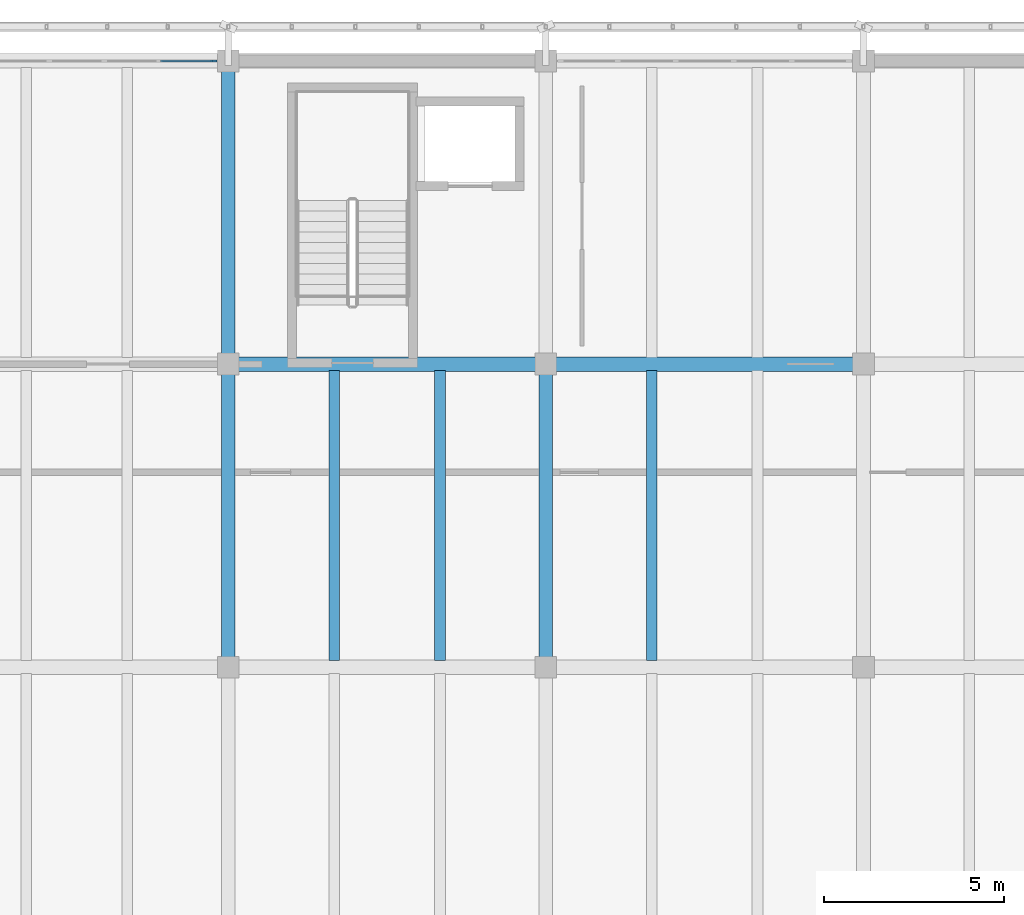
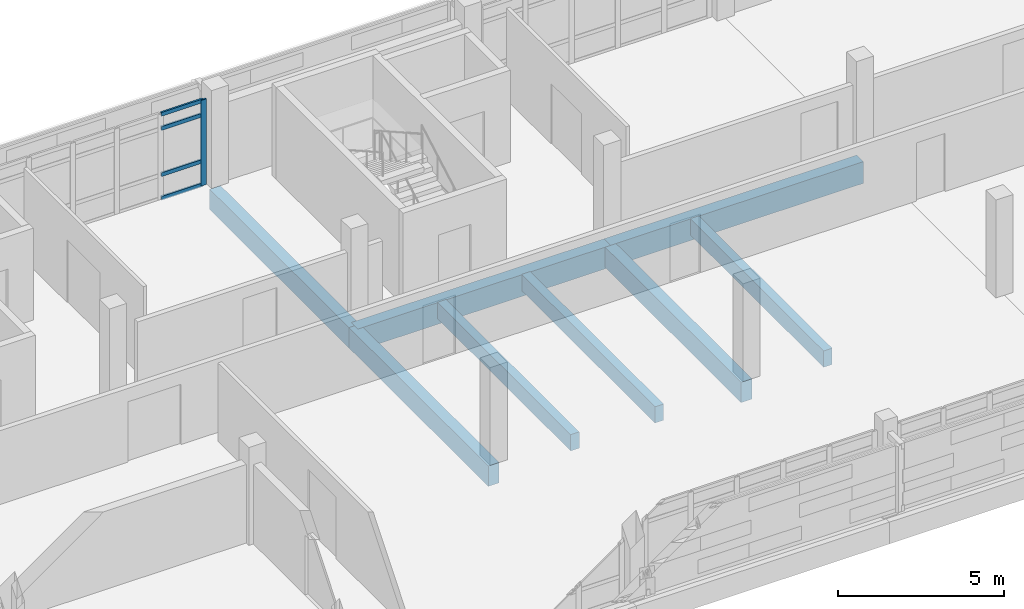
# One storey, part 22 of 50: 8 beams, 5 members, 1 element without a shape of its own.
"""IFC4 building model written with IfcOpenShell, lengths in metres."""

from ifc_helpers import new_model, si_unit, direction, frame, origin, origin_2d, place, context, subcontext, project, spatial, rectangle, extrude, material, material_profile, profile_set, type_object, element, aggregate, save


model = new_model("IFC4")

# Units and contexts
model_context = context("Model", 3, precision=1e-05, world=origin(), true_north=direction((0.0, 1.0)))
body_context = subcontext(model_context, "Body", "Model", "MODEL_VIEW")
ifc_project = project(units=[si_unit("LENGTHUNIT", "METRE"), si_unit("AREAUNIT", "SQUARE_METRE"), si_unit("VOLUMEUNIT", "CUBIC_METRE"), si_unit("PLANEANGLEUNIT", "RADIAN"), si_unit("MASSUNIT", "GRAM", prefix="KILO")], contexts=[model_context])

# Site, building, storey
site_placement = place(None, origin())
site = spatial("IfcSite", under=ifc_project, at=site_placement, CompositionType="ELEMENT")
building_placement = place(site_placement, origin())
building = spatial("IfcBuilding", under=site, at=building_placement, Name="Cinderway Yard Community Centre", CompositionType="ELEMENT")
storey_placement = place(building_placement, frame((0.0, 0.0, 12.89990234375)))
storey = spatial("IfcBuildingStorey", under=building, at=storey_placement, Name="L03", CompositionType="ELEMENT", Elevation=12.89990234375)

# Curtain wall, members
ifc_material_1 = material(Name="Aluminium 6063-T6", Category="aluminium")
curtain_wall_type = type_object("IfcCurtainWallType", Name="ENV-CW-TYPE-32", PredefinedType="USERDEFINED", material=ifc_material_1)
curtain_wall_placement = place(storey_placement, origin())
curtain_wall = element("IfcCurtainWall", 1, at=curtain_wall_placement, inside=storey, type_object=curtain_wall_type, Name="V4 Street Curtain Wall ENV-CW-L03-HS-0163", ObjectType="GLAZED CURTAIN WALL", PredefinedType="USERDEFINED")
ifc_material_profile_1 = material_profile(ifc_material_1, rectangle(XDim=0.06494140625, YDim=0.179931640625, at=origin_2d()), Name="Aluminium 6063-T6")
ifc_profile_set_1 = profile_set([ifc_material_profile_1], Name="Aluminium 6063-T6")
member_type_1 = type_object("IfcMemberType", Name="ENV-CW-MULL-180", PredefinedType="MULLION", material=ifc_profile_set_1)
member_1_placement = place(storey_placement, frame((74.7900390625, 115.199951171875, 0.0), z_axis=(0.0, 0.0, 1.0), x_axis=(0.0, 1.0, 0.0)))
member_1 = element("IfcMember", 2, at=member_1_placement, type_object=member_type_1, Name="CW-32 mullion 6", PredefinedType="MULLION", context=body_context, shape_type="SweptSolid", body=[
    extrude(rectangle(XDim=0.06494140625, YDim=0.179931640625, at=origin_2d()), origin(), (0.0, 0.0, 1.0), 3.150146484375),
])
ifc_material_profile_2 = material_profile(ifc_material_1, rectangle(XDim=0.06494140625, YDim=0.139892578125, at=origin_2d()), Name="Aluminium 6063-T6")
ifc_profile_set_2 = profile_set([ifc_material_profile_2], Name="Aluminium 6063-T6")
member_type_2 = type_object("IfcMemberType", Name="ENV-CW-TRAN-140", PredefinedType="USERDEFINED", material=ifc_profile_set_2)
member_2_placement = place(storey_placement, frame((73.322021484375, 115.199951171875, 0.030029296875), z_axis=(1.0, 0.0, 0.0), x_axis=(0.0, 1.0, 0.0)))
member_2 = element("IfcMember", 3, at=member_2_placement, type_object=member_type_2, Name="CW-32 transom 5.1", ObjectType="TRANSOM", PredefinedType="USERDEFINED", context=body_context, shape_type="SweptSolid", body=[
    extrude(rectangle(XDim=0.06494140625, YDim=0.139892578125, at=origin_2d()), origin(), (0.0, 0.0, 1.0), 1.43798828125),
])
member_3_placement = place(storey_placement, frame((73.322021484375, 115.199951171875, 0.900146484375), z_axis=(1.0, 0.0, 0.0), x_axis=(0.0, 1.0, 0.0)))
member_3 = element("IfcMember", 4, at=member_3_placement, type_object=member_type_2, Name="CW-32 transom 5.2", ObjectType="TRANSOM", PredefinedType="USERDEFINED", context=body_context, shape_type="SweptSolid", body=[
    extrude(rectangle(XDim=0.06494140625, YDim=0.139892578125, at=origin_2d()), origin(), (0.0, 0.0, 1.0), 1.43798828125),
])
member_4_placement = place(storey_placement, frame((73.322021484375, 115.199951171875, 2.60009765625), z_axis=(1.0, 0.0, 0.0), x_axis=(0.0, 1.0, 0.0)))
member_4 = element("IfcMember", 5, at=member_4_placement, type_object=member_type_2, Name="CW-32 transom 5.3", ObjectType="TRANSOM", PredefinedType="USERDEFINED", context=body_context, shape_type="SweptSolid", body=[
    extrude(rectangle(XDim=0.06494140625, YDim=0.139892578125, at=origin_2d()), origin(), (0.0, 0.0, 1.0), 1.43798828125),
])
member_5_placement = place(storey_placement, frame((73.322021484375, 115.199951171875, 3.1201171875), z_axis=(1.0, 0.0, 0.0), x_axis=(0.0, 1.0, 0.0)))
member_5 = element("IfcMember", 6, at=member_5_placement, type_object=member_type_2, Name="CW-32 transom 5.4", ObjectType="TRANSOM", PredefinedType="USERDEFINED", context=body_context, shape_type="SweptSolid", body=[
    extrude(rectangle(XDim=0.06494140625, YDim=0.139892578125, at=origin_2d()), origin(), (0.0, 0.0, 1.0), 1.43798828125),
])
aggregate(curtain_wall, [member_1, member_2, member_3, member_4, member_5])

# Beams
ifc_material_2 = material(Name="Concrete C35/45", Category="concrete")
ifc_material_profile_3 = material_profile(ifc_material_2, rectangle(XDim=0.300048828125, YDim=0.60009765625, at=origin_2d()), Name="Concrete C35/45")
ifc_profile_set_3 = profile_set([ifc_material_profile_3], Name="Concrete C35/45")
beam_type_1 = type_object("IfcBeamType", Name="STR-BM-RC300X600", PredefinedType="JOIST", material=ifc_profile_set_3)
for number, where, z_axis, x_axis, name in (
    (7, (78.133056640625, 98.58203125, -0.539794921875), (0.0, 1.0, 0.0), (-1.0, 0.0, 0.0), "Secondary joist STR-BM-L03-BJ02-0774"),
    (8, (81.06689453125, 98.58203125, -0.539794921875), (0.0, 1.0, 0.0), (-1.0, 0.0, 0.0), "Secondary joist STR-BM-L03-BJ02-0775"),
    (9, (86.93310546875, 98.58203125, -0.539794921875), (0.0, 1.0, 0.0), (-1.0, 0.0, 0.0), "Secondary joist STR-BM-L03-BJ02-0778"),
):
    element("IfcBeam", number, at=place(storey_placement, frame(where, z_axis=z_axis, x_axis=x_axis)), inside=storey, type_object=beam_type_1, Name=name, PredefinedType="JOIST", context=body_context, shape_type="SweptSolid", body=[
        extrude(rectangle(XDim=0.300048828125, YDim=0.60009765625, at=origin_2d()), origin(), (0.0, 0.0, 1.0), 8.035888671875),
    ])
ifc_material_profile_4 = material_profile(ifc_material_2, rectangle(XDim=0.3798828125, YDim=0.75, at=origin_2d()), Name="Concrete C35/45")
ifc_profile_set_4 = profile_set([ifc_material_profile_4], Name="Concrete C35/45")
beam_type_2 = type_object("IfcBeamType", Name="STR-BM-RC380X750", PredefinedType="BEAM", material=ifc_profile_set_4)
beam_1_placement = place(storey_placement, frame((75.199951171875, 98.39990234375, -0.614990234375), z_axis=(0.0, 1.0, 0.0), x_axis=(-1.0, 0.0, 0.0)))
element("IfcBeam", 10, at=beam_1_placement, inside=storey, type_object=beam_type_2, Name="Transverse girder STR-BM-L03-BG06-0727", PredefinedType="BEAM", context=body_context, shape_type="SweptSolid", body=[
    extrude(rectangle(XDim=0.3798828125, YDim=0.75, at=origin_2d()), origin(), (0.0, 0.0, 1.0), 8.400146484375),
])
beam_2_placement = place(storey_placement, frame((75.199951171875, 106.800048828125, -0.614990234375), z_axis=(0.0, 1.0, 0.0), x_axis=(-1.0, 0.0, 0.0)))
element("IfcBeam", 11, at=beam_2_placement, inside=storey, type_object=beam_type_2, Name="Transverse girder STR-BM-L03-BG06-0728", PredefinedType="BEAM", context=body_context, shape_type="SweptSolid", body=[
    extrude(rectangle(XDim=0.3798828125, YDim=0.75, at=origin_2d()), origin(), (0.0, 0.0, 1.0), 8.39990234375),
])
beam_3_placement = place(storey_placement, frame((84.0, 98.39990234375, -0.614990234375), z_axis=(0.0, 1.0, 0.0), x_axis=(-1.0, 0.0, 0.0)))
element("IfcBeam", 12, at=beam_3_placement, inside=storey, type_object=beam_type_2, Name="Transverse girder STR-BM-L03-BG06-0730", PredefinedType="BEAM", context=body_context, shape_type="SweptSolid", body=[
    extrude(rectangle(XDim=0.3798828125, YDim=0.75, at=origin_2d()), origin(), (0.0, 0.0, 1.0), 8.400146484375),
])
ifc_material_3 = material(Name="Concrete C40/50", Category="concrete")
ifc_material_profile_5 = material_profile(ifc_material_3, rectangle(XDim=0.39990234375, YDim=0.800048828125, at=origin_2d()), Name="Concrete C40/50")
ifc_profile_set_5 = profile_set([ifc_material_profile_5], Name="Concrete C40/50")
beam_type_3 = type_object("IfcBeamType", Name="STR-BM-RC400X800", PredefinedType="BEAM", material=ifc_profile_set_5)
for number, where, z_axis, x_axis, name in (
    (13, (75.199951171875, 106.800048828125, -0.639892578125), (1.0, 0.0, 0.0), (0.0, 1.0, 0.0), "Primary girder STR-BM-L03-BG05-0696"),
    (14, (84.0, 106.800048828125, -0.639892578125), (1.0, 0.0, 0.0), (0.0, 1.0, 0.0), "Primary girder STR-BM-L03-BG05-0697"),
):
    element("IfcBeam", number, at=place(storey_placement, frame(where, z_axis=z_axis, x_axis=x_axis)), inside=storey, type_object=beam_type_3, Name=name, PredefinedType="BEAM", context=body_context, shape_type="SweptSolid", body=[
        extrude(rectangle(XDim=0.39990234375, YDim=0.800048828125, at=origin_2d()), origin(), (0.0, 0.0, 1.0), 8.800048828125),
    ])

save(model, "model.ifc")
